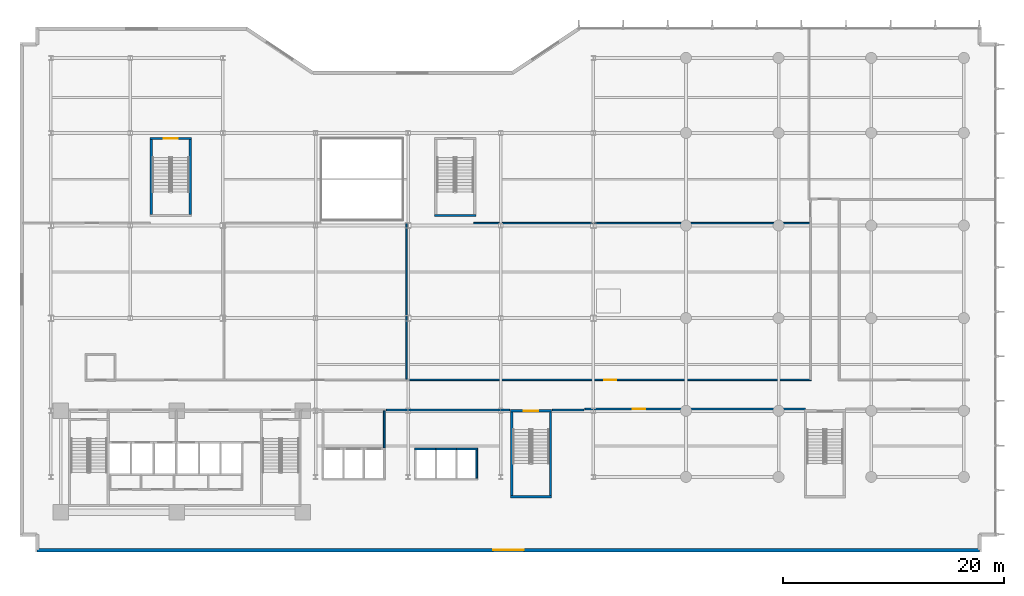
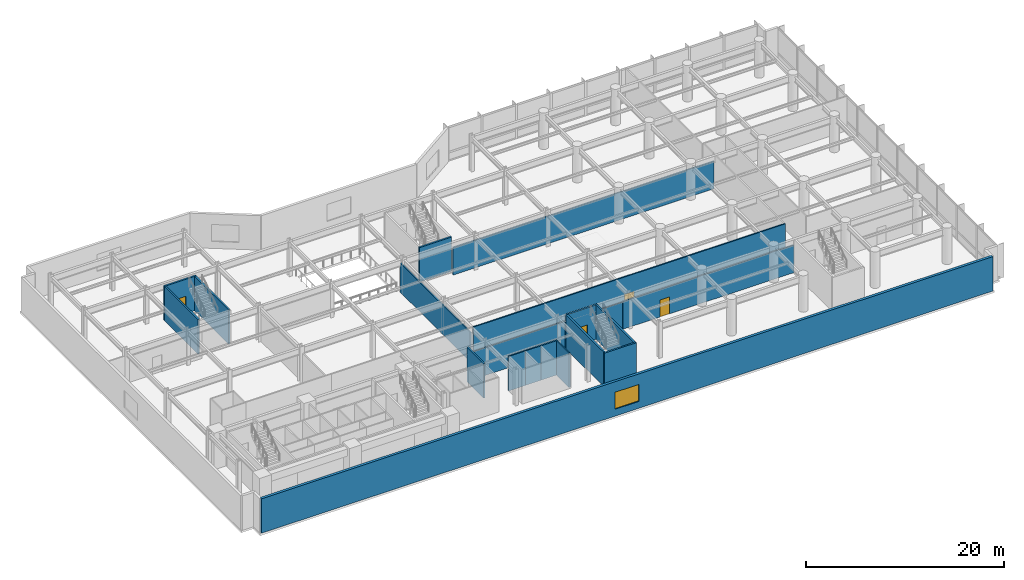
# One storey, part 16 of 26: 20 walls, 4 doors, 1 window, 5 openings.
"""IFC4 building model written with IfcOpenShell, lengths in metres."""

import ifcopenshell
import ifcopenshell.guid

model = None  # the IFC model being written
_history = None  # IfcOwnerHistory: only IFC2X3 demands one
_inside = {}  # id of a spatial element -> (the spatial element, [elements in it])
_under = {}  # id of a project, library or spatial element -> (it, [spatial elements below it])
_declared = {}  # id of a project -> (the project, [libraries it declares])
_typed = {}  # id of a type object -> (the type object, [elements of that type])
_made_of = {}  # id of a material, layer set ... -> (it, [elements and type objects made of it])


def new_model(schema):
    """Start an empty IFC model of exactly this schema.

    Asked for "IFC4X3", IfcOpenShell would pick the latest addendum, in which some entities
    have other attributes; the version numbers below select the first issue.
    IFC2X3 requires an IfcOwnerHistory on every rooted entity: one is made here for all.
    """
    global model, _history
    if schema == "IFC4X3":
        model = ifcopenshell.file(schema_version=(4, 3, 0, 0))
    else:
        model = ifcopenshell.file(schema=schema)
    _inside.clear()
    _under.clear()
    _declared.clear()
    _typed.clear()
    _made_of.clear()
    _history = None
    if model.schema == "IFC2X3":
        org = make("IfcOrganization", Name="unknown")
        user = make(
            "IfcPersonAndOrganization",
            ThePerson=make("IfcPerson", FamilyName="unknown"),
            TheOrganization=org,
        )
        app = make(
            "IfcApplication",
            ApplicationDeveloper=org,
            Version="unknown",
            ApplicationFullName="unknown",
            ApplicationIdentifier="unknown",
        )
        _history = make(
            "IfcOwnerHistory",
            OwningUser=user,
            OwningApplication=app,
            ChangeAction="ADDED",
            CreationDate=0,
        )
    return model


def make(cls, **values):
    """One entity of the class cls with the attributes given. An attribute that is None is left unset."""
    return model.create_entity(
        cls, **{name: value for name, value in values.items() if value is not None}
    )


def rooted(cls, **values):
    """An entity with a GlobalId (a new one), such as an element, a storey or a relation."""
    return make(cls, GlobalId=ifcopenshell.guid.new(), OwnerHistory=_history, **values)


def si_unit(unit_type, name, prefix=None):
    """IfcSIUnit, for example si_unit("LENGTHUNIT", "METRE", prefix="MILLI")."""
    return make("IfcSIUnit", UnitType=unit_type, Prefix=prefix, Name=name)


def assignment(units):
    """IfcUnitAssignment: the units of a project."""
    return None if units is None else make("IfcUnitAssignment", Units=units)


def point(xyz):
    """IfcCartesianPoint."""
    return None if xyz is None else make("IfcCartesianPoint", Coordinates=xyz)


def direction(xyz):
    """IfcDirection."""
    return None if xyz is None else make("IfcDirection", DirectionRatios=xyz)


def frame(location, z_axis=None, x_axis=None):
    """IfcAxis2Placement3D, a coordinate frame: its origin and axes. An axis left out is left unset."""
    return make(
        "IfcAxis2Placement3D",
        Location=point(location),
        Axis=direction(z_axis),
        RefDirection=direction(x_axis),
    )


def frame_2d(location, x_axis=None):
    """IfcAxis2Placement2D, a coordinate frame in the plane: its origin and x axis."""
    return make(
        "IfcAxis2Placement2D", Location=point(location), RefDirection=direction(x_axis)
    )


def origin():
    """The frame at (0, 0, 0) with its axes left unset."""
    return frame((0.0, 0.0, 0.0))


def place(relative_to, where):
    """IfcLocalPlacement: puts the frame where relative to a parent placement (None: the world)."""
    return make(
        "IfcLocalPlacement", PlacementRelTo=relative_to, RelativePlacement=where
    )


def context(
    kind, dimensions, precision=None, world=None, true_north=None, identifier=None
):
    """IfcGeometricRepresentationContext, for example the 3D "Model" context."""
    return make(
        "IfcGeometricRepresentationContext",
        ContextIdentifier=identifier,
        ContextType=kind,
        CoordinateSpaceDimension=dimensions,
        Precision=precision,
        WorldCoordinateSystem=world,
        TrueNorth=true_north,
    )


def subcontext(parent, identifier, kind, view, scale=None):
    """IfcGeometricRepresentationSubContext, for example "Body" below "Model"."""
    return make(
        "IfcGeometricRepresentationSubContext",
        ContextIdentifier=identifier,
        ContextType=kind,
        ParentContext=parent,
        TargetScale=scale,
        TargetView=view,
    )


def project(units=None, contexts=None):
    """IfcProject with its units and contexts."""
    return rooted(
        "IfcProject",
        Name="project",
        RepresentationContexts=contexts,
        UnitsInContext=assignment(units),
    )


def spatial(cls, under=None, at=None, **own):
    """A site, building, storey or space (cls), placed at a placement, below another one or the project."""
    s = rooted(cls, ObjectPlacement=at, **own)
    if under is not None:
        _under.setdefault(under.id(), (under, []))[1].append(s)
    return s


def profile(cls, at=None, kind="AREA", **sizes):
    """A parametric profile (cls). Its sizes go by their IFC names, for example OverallWidth=200.0."""
    return make(cls, ProfileType=kind, Position=at, **sizes)


def rectangle(**sizes):
    """IfcRectangleProfileDef."""
    return profile("IfcRectangleProfileDef", **sizes)


def extrude(swept, where, along, depth):
    """IfcExtrudedAreaSolid: the profile swept, set in the frame where, extruded along a direction by depth."""
    return make(
        "IfcExtrudedAreaSolid",
        SweptArea=swept,
        Position=where,
        ExtrudedDirection=direction(along),
        Depth=depth,
    )


def shape(context_of_items, identifier, shape_type, items):
    """IfcShapeRepresentation: the items that make up one representation, for example the "Body"."""
    return make(
        "IfcShapeRepresentation",
        ContextOfItems=context_of_items,
        RepresentationIdentifier=identifier,
        RepresentationType=shape_type,
        Items=items,
    )


def material(Name=None, Category=None):
    """IfcMaterial."""
    return make("IfcMaterial", Name=Name, Category=Category)


def layer(
    of_material, thickness, ventilated=None, Name=None, Category=None, Priority=None
):
    """IfcMaterialLayer: one layer of a wall or slab, of a material (None: an air gap)."""
    return make(
        "IfcMaterialLayer",
        Material=of_material,
        LayerThickness=thickness,
        IsVentilated=ventilated,
        Name=Name,
        Category=Category,
        Priority=Priority,
    )


def layer_set(layers, Name=None):
    """IfcMaterialLayerSet."""
    return make("IfcMaterialLayerSet", MaterialLayers=layers, LayerSetName=Name)


def made_of(thing, what):
    """Note that an element or type object is made of a material, layer set ...; save() writes the relation."""
    if what is not None:
        _made_of.setdefault(what.id(), (what, []))[1].append(thing)
    return thing


def type_object(cls, material=None, **own):
    """A type object (cls), such as IfcWallType, which elements share."""
    return made_of(rooted(cls, **own), material)


def element(
    cls,
    number,
    at=None,
    inside=None,
    cuts=None,
    type_object=None,
    material=None,
    context=None,
    identifier="Body",
    shape_type=None,
    held_by="IfcProductDefinitionShape",
    body=None,
    shapes=None,
    **own,
):
    """One element of the class cls, such as IfcWall. Its Tag is "e" and its number.

    at: its placement. inside: the storey or other place that contains it. cuts: it is an
    opening in that element (IfcRelVoidsElement). A single representation is given by context,
    identifier, shape_type and body (its items); several are given by shapes. held_by: the class
    of the entity that holds the representations. save() writes the other relations.
    """
    e = rooted(cls, Tag="e%d" % number, ObjectPlacement=at, **own)
    if body is not None:
        shapes = [shape(context, identifier, shape_type, body)]
    if shapes is not None:
        e.Representation = make(held_by, Representations=shapes)
    if inside is not None:
        _inside.setdefault(inside.id(), (inside, []))[1].append(e)
    if cuts is not None:
        rooted(
            "IfcRelVoidsElement", RelatingBuildingElement=cuts, RelatedOpeningElement=e
        )
    if type_object is not None:
        _typed.setdefault(type_object.id(), (type_object, []))[1].append(e)
    return made_of(e, material)


def fill(opening, filler):
    """IfcRelFillsElement: the door or window that sits in an opening."""
    return rooted(
        "IfcRelFillsElement",
        RelatingOpeningElement=opening,
        RelatedBuildingElement=filler,
    )


def aggregate(whole, parts):
    """IfcRelAggregates: a whole, such as a stair, and the parts it consists of."""
    return rooted("IfcRelAggregates", RelatingObject=whole, RelatedObjects=parts)


def save(model, path):
    """Write the relations noted so far, then the file.

    IfcRelAggregates (storeys below a building ...), IfcRelContainedInSpatialStructure (elements
    in a storey), IfcRelDefinesByType, IfcRelAssociatesMaterial and IfcRelDeclares: one each for
    every whole, place, type object, material and project.
    """
    for whole, parts in _under.values():
        aggregate(whole, parts)
    for where, things in _inside.values():
        rooted(
            "IfcRelContainedInSpatialStructure",
            RelatedElements=things,
            RelatingStructure=where,
        )
    for kind, things in _typed.values():
        rooted("IfcRelDefinesByType", RelatedObjects=things, RelatingType=kind)
    for what, things in _made_of.values():
        rooted("IfcRelAssociatesMaterial", RelatedObjects=things, RelatingMaterial=what)
    for by, libraries in _declared.values():
        rooted("IfcRelDeclares", RelatingContext=by, RelatedDefinitions=libraries)
    model.write(path)


model = new_model("IFC4")

# Units and contexts
model_context = context("Model", 3, precision=1e-05, world=origin(), true_north=direction((0.0, 1.0)))
body_context = subcontext(model_context, "Body", "Model", "MODEL_VIEW")
ifc_project = project(units=[si_unit("LENGTHUNIT", "METRE"), si_unit("AREAUNIT", "SQUARE_METRE"), si_unit("VOLUMEUNIT", "CUBIC_METRE"), si_unit("PLANEANGLEUNIT", "RADIAN"), si_unit("MASSUNIT", "GRAM", prefix="KILO")], contexts=[model_context])

# Site, building, storey
site_placement = place(None, origin())
site = spatial("IfcSite", under=ifc_project, at=site_placement, CompositionType="ELEMENT")
building_placement = place(site_placement, origin())
building = spatial("IfcBuilding", under=site, at=building_placement, Name="Varnakote Quay Hospital", CompositionType="ELEMENT")
storey_placement = place(building_placement, frame((0.0, 0.0, 4.5)))
storey = spatial("IfcBuildingStorey", under=building, at=storey_placement, Name="L01", CompositionType="ELEMENT", Elevation=4.5)

# Walls
ifc_material_1 = material(Name="Fire-rated acoustic gypsum stud wall", Category="gypsum")
ifc_layer_1 = layer(ifc_material_1, 0.159912109375)
ifc_layer_set_1 = layer_set([ifc_layer_1], Name="Fire-rated acoustic gypsum stud wall")
wall_type_1 = type_object("IfcWallType", Name="WL-COMP-160", PredefinedType="PARTITIONING", material=ifc_layer_set_1)
wall_1_placement = place(storey_placement, frame((31.429931640625, 8.610107421875, 0.0), z_axis=(0.0, 0.0, 1.0), x_axis=(0.0, 1.0, 0.0)))
element("IfcWall", 1, at=wall_1_placement, inside=storey, type_object=wall_type_1, Name="L01 Low-Rise Lift Lobby East Wall", PredefinedType="PARTITIONING", context=body_context, shape_type="SweptSolid", body=[
    extrude(rectangle(XDim=3.389892578125, YDim=0.159912109375, at=frame_2d((1.69482421875, 0.0))), origin(), (0.0, 0.0, 1.0), 4.25),
])
wall_2_placement = place(storey_placement, frame((31.6298828125, 12.080078125, 0.0), z_axis=(0.0, 0.0, 1.0), x_axis=(1.0, 0.0, 0.0)))
element("IfcWall", 2, at=wall_2_placement, inside=storey, type_object=wall_type_1, Name="L01 Corridor South Gap Wall", PredefinedType="PARTITIONING", context=body_context, shape_type="SweptSolid", body=[
    extrude(rectangle(XDim=11.180908203125, YDim=0.159912109375, at=frame_2d((5.59033203125, 0.0))), origin(), (0.0, 0.0, 1.0), 3.425048828125),
])
wall_3_placement = place(storey_placement, frame((46.689208984375, 12.080078125, 0.0), z_axis=(0.0, 0.0, 1.0), x_axis=(1.0, 0.0, 0.0)))
element("IfcWall", 3, at=wall_3_placement, inside=storey, type_object=wall_type_1, Name="L01 Corridor South Gap Wall", PredefinedType="PARTITIONING", context=body_context, shape_type="SweptSolid", body=[
    extrude(rectangle(XDim=2.843017578125, YDim=0.159912109375, at=frame_2d((1.42138671875, 0.0))), origin(), (0.0, 0.0, 1.0), 3.425048828125),
])

# Wall, opening, window
ifc_material_2 = material(Name="Precast concrete N50 (f'c 50 MPa)", Category="concrete")
ifc_layer_2 = layer(ifc_material_2, 0.300048828125)
ifc_layer_set_2 = layer_set([ifc_layer_2], Name="Precast concrete N50 (f'c 50 MPa)")
wall_type_2 = type_object("IfcWallType", Name="WL-EXT-BRICK-300", PredefinedType="STANDARD", material=ifc_layer_set_2)
wall_4_placement = place(storey_placement, frame((-0.0400390625, -0.639892578125, 0.0), z_axis=(0.0, 0.0, 1.0), x_axis=(1.0, 0.0, 0.0)))
wall_4 = element("IfcWall", 4, at=wall_4_placement, inside=storey, type_object=wall_type_2, Name="L01 Brick-Faced Precast Exterior Wall", PredefinedType="STANDARD", context=body_context, shape_type="SweptSolid", body=[
    extrude(rectangle(XDim=85.47998046875, YDim=0.300048828125, at=frame_2d((42.739990234375, 0.0))), origin(), (0.0, 0.0, 1.0), 4.25),
])
opening_1_placement = place(wall_4_placement, frame((41.340087890625, 0.0, 0.85009765625)))
opening_1 = element("IfcOpeningElement", 5, at=opening_1_placement, cuts=wall_4, Name="Opening WN-0007", PredefinedType="OPENING", context=body_context, shape_type="SweptSolid", body=[
    extrude(rectangle(XDim=2.800048828125, YDim=2.10009765625, at=frame_2d((1.39990234375, 1.050048828125))), frame((0.0, 0.159912109375, 0.0), z_axis=(0.0, -1.0, 0.0), x_axis=(1.0, 0.0, 0.0)), (0.0, 0.0, 1.0), 0.320068359375),
])
ifc_material_3 = material(Name="Double-glazed acoustic laminated glass", Category="glass")
window_type = type_object("IfcWindowType", Name="WIN-POD-2800x2100", PartitioningType="SINGLE_PANEL", PredefinedType="WINDOW", material=ifc_material_3)
window_placement = place(opening_1_placement, origin())
window = element("IfcWindow", 6, at=window_placement, inside=storey, type_object=window_type, Name="L01 Solar-Control Clinical Window", OverallHeight=2.10009765625, OverallWidth=2.800048828125, PartitioningType="SINGLE_PANEL", PredefinedType="WINDOW", context=body_context, shape_type="SweptSolid", body=[
    extrude(rectangle(XDim=2.800048828125, YDim=2.10009765625, at=frame_2d((1.39990234375, 1.050048828125))), frame((0.0, 0.030029296875, 0.0), z_axis=(0.0, -1.0, 0.0), x_axis=(1.0, 0.0, 0.0)), (0.0, 0.0, 1.0), 0.06005859375),
])
fill(opening_1, window)

# Walls
ifc_material_4 = material(Name="Concrete N50 (f'c 50 MPa)", Category="concrete")
ifc_layer_3 = layer(ifc_material_4, 0.159912109375)
ifc_layer_set_3 = layer_set([ifc_layer_3], Name="Concrete N50 (f'c 50 MPa)")
wall_type_3 = type_object("IfcWallType", Name="WL-SHAFT-N50-160", PredefinedType="SHEAR", material=ifc_layer_set_3)
wall_5_placement = place(storey_placement, frame((39.830078125, 5.89990234375, 0.0), z_axis=(0.0, 0.0, 1.0), x_axis=(0.0, 1.0, 0.0)))
element("IfcWall", 7, at=wall_5_placement, inside=storey, type_object=wall_type_3, Name="L01 MID Lift Bank East Shear Wall", PredefinedType="SHEAR", context=body_context, shape_type="SweptSolid", body=[
    extrude(rectangle(XDim=2.550048828125, YDim=0.159912109375, at=frame_2d((1.27490234375, 0.0))), origin(), (0.0, 0.0, 1.0), 4.25),
])
wall_6_placement = place(storey_placement, frame((34.18994140625, 8.530029296875, 0.0), z_axis=(0.0, 0.0, 1.0), x_axis=(1.0, 0.0, 0.0)))
element("IfcWall", 8, at=wall_6_placement, inside=storey, type_object=wall_type_3, Name="L01 LF-PM1 Hoistway Front Wall", PredefinedType="SHEAR", context=body_context, shape_type="SweptSolid", body=[
    extrude(rectangle(XDim=1.93505859375, YDim=0.159912109375, at=frame_2d((0.967529296875, 0.0))), origin(), (0.0, 0.0, 1.0), 4.25),
])
wall_7_placement = place(storey_placement, frame((36.125, 8.530029296875, 0.0), z_axis=(0.0, 0.0, 1.0), x_axis=(1.0, 0.0, 0.0)))
element("IfcWall", 9, at=wall_7_placement, inside=storey, type_object=wall_type_3, Name="L01 LF-PM2 Hoistway Front Wall", PredefinedType="SHEAR", context=body_context, shape_type="SweptSolid", body=[
    extrude(rectangle(XDim=1.85009765625, YDim=0.159912109375, at=frame_2d((0.925048828125, 0.0))), origin(), (0.0, 0.0, 1.0), 4.25),
])
wall_8_placement = place(storey_placement, frame((37.97509765625, 8.530029296875, 0.0), z_axis=(0.0, 0.0, 1.0), x_axis=(1.0, 0.0, 0.0)))
element("IfcWall", 10, at=wall_8_placement, inside=storey, type_object=wall_type_3, Name="L01 LF-PM3 Hoistway Front Wall", PredefinedType="SHEAR", context=body_context, shape_type="SweptSolid", body=[
    extrude(rectangle(XDim=1.934814453125, YDim=0.159912109375, at=frame_2d((0.96728515625, 0.0))), origin(), (0.0, 0.0, 1.0), 4.25),
])
ifc_material_5 = material(Name="Concrete N50 (f'c 50 MPa)", Category="concrete")
ifc_layer_4 = layer(ifc_material_5, 0.199951171875)
ifc_layer_set_4 = layer_set([ifc_layer_4], Name="Concrete N50 (f'c 50 MPa)")
wall_type_4 = type_object("IfcWallType", Name="WL-SHAFT-N50-200", PredefinedType="SHEAR", material=ifc_layer_set_4)
wall_9_placement = place(storey_placement, frame((42.89990234375, 4.199951171875, 0.0), z_axis=(0.0, 0.0, 1.0), x_axis=(1.0, 0.0, 0.0)))
element("IfcWall", 11, at=wall_9_placement, inside=storey, type_object=wall_type_4, Name="L01 Stair ST3 South Shaft Wall", PredefinedType="SHEAR", context=body_context, shape_type="SweptSolid", body=[
    extrude(rectangle(XDim=3.7001953125, YDim=0.199951171875, at=frame_2d((1.85009765625, 0.0))), origin(), (0.0, 0.0, 1.0), 4.25),
])
for number, where, z_axis, x_axis, name in (
    (12, (43.0, 4.300048828125, 0.0), (0.0, 0.0, 1.0), (0.0, 1.0, 0.0), "L01 Stair ST3 West Shaft Wall"),
    (13, (46.5, 4.300048828125, 0.0), (0.0, 0.0, 1.0), (0.0, 1.0, 0.0), "L01 Stair ST3 East Shaft Wall"),
):
    element("IfcWall", number, at=place(storey_placement, frame(where, z_axis=z_axis, x_axis=x_axis)), inside=storey, type_object=wall_type_4, Name=name, PredefinedType="SHEAR", context=body_context, shape_type="SweptSolid", body=[
        extrude(rectangle(XDim=7.599853515625, YDim=0.199951171875, at=frame_2d((3.7998046875, 0.0))), origin(), (0.0, 0.0, 1.0), 4.25),
    ])

# Wall, opening, door
wall_10_placement = place(storey_placement, frame((42.89990234375, 12.0, 0.0), z_axis=(0.0, 0.0, 1.0), x_axis=(1.0, 0.0, 0.0)))
wall_10 = element("IfcWall", 14, at=wall_10_placement, inside=storey, type_object=wall_type_4, Name="L01 Stair ST3 Exit Wall", PredefinedType="SHEAR", context=body_context, shape_type="SweptSolid", body=[
    extrude(rectangle(XDim=3.7001953125, YDim=0.199951171875, at=frame_2d((1.85009765625, 0.0))), origin(), (0.0, 0.0, 1.0), 4.25),
])
opening_2_placement = place(wall_10_placement, frame((1.199951171875, 0.0, 0.0)))
opening_2 = element("IfcOpeningElement", 15, at=opening_2_placement, cuts=wall_10, Name="Opening D-ST3-L01", PredefinedType="OPENING", context=body_context, shape_type="SweptSolid", body=[
    extrude(rectangle(XDim=1.300048828125, YDim=2.14990234375, at=frame_2d((0.64990234375, 1.074951171875))), frame((0.0, 0.10986328125, 0.0), z_axis=(0.0, -1.0, 0.0), x_axis=(1.0, 0.0, 0.0)), (0.0, 0.0, 1.0), 0.219970703125),
])
ifc_material_6 = material(Name="Fire-rated ceramic-glazed timber exit door", Category="wood")
door_type_1 = type_object("IfcDoorType", Name="DR-STAIR-FD60S-1300x2150", OperationType="NOTDEFINED", PredefinedType="DOOR", material=ifc_material_6)
door_1_placement = place(opening_2_placement, origin())
door_1 = element("IfcDoor", 16, at=door_1_placement, inside=storey, type_object=door_type_1, Name="L01 Stair ST3 Fire Exit Door", OperationType="SINGLE_SWING_LEFT", OverallHeight=2.14990234375, OverallWidth=1.300048828125, PredefinedType="DOOR", context=body_context, shape_type="SweptSolid", body=[
    extrude(rectangle(XDim=1.300048828125, YDim=2.14990234375, at=frame_2d((0.64990234375, 1.074951171875))), frame((0.0, 0.02490234375, 0.0), z_axis=(0.0, -1.0, 0.0), x_axis=(1.0, 0.0, 0.0)), (0.0, 0.0, 1.0), 0.050048828125),
])
fill(opening_2, door_1)

# Walls
for number, where, z_axis, x_axis, name in (
    (17, (10.300048828125, 29.800048828125, 0.0), (0.0, 0.0, 1.0), (0.0, 1.0, 0.0), "L01 Stair ST4 West Shaft Wall"),
    (18, (13.840087890625, 29.800048828125, 0.0), (0.0, 0.0, 1.0), (0.0, 1.0, 0.0), "L01 Stair ST4 East Shaft Wall"),
):
    element("IfcWall", number, at=place(storey_placement, frame(where, z_axis=z_axis, x_axis=x_axis)), inside=storey, type_object=wall_type_4, Name=name, PredefinedType="SHEAR", context=body_context, shape_type="SweptSolid", body=[
        extrude(rectangle(XDim=6.800048828125, YDim=0.199951171875, at=frame_2d((3.39990234375, 0.0))), origin(), (0.0, 0.0, 1.0), 4.25),
    ])

# Wall, opening, door
wall_11_placement = place(storey_placement, frame((10.199951171875, 36.699951171875, 0.0), z_axis=(0.0, 0.0, 1.0), x_axis=(1.0, 0.0, 0.0)))
wall_11 = element("IfcWall", 19, at=wall_11_placement, inside=storey, type_object=wall_type_4, Name="L01 Stair ST4 Exit Wall", PredefinedType="SHEAR", context=body_context, shape_type="SweptSolid", body=[
    extrude(rectangle(XDim=3.739990234375, YDim=0.199951171875, at=frame_2d((1.8701171875, 0.0))), origin(), (0.0, 0.0, 1.0), 4.25),
])
opening_3_placement = place(wall_11_placement, frame((1.219970703125, 0.0, 0.0)))
opening_3 = element("IfcOpeningElement", 20, at=opening_3_placement, cuts=wall_11, Name="Opening D-ST4-L01", PredefinedType="OPENING", context=body_context, shape_type="SweptSolid", body=[
    extrude(rectangle(XDim=1.300048828125, YDim=2.14990234375, at=frame_2d((0.64990234375, 1.074951171875))), frame((0.0, 0.10986328125, 0.0), z_axis=(0.0, -1.0, 0.0), x_axis=(1.0, 0.0, 0.0)), (0.0, 0.0, 1.0), 0.219970703125),
])
door_2_placement = place(opening_3_placement, origin())
door_2 = element("IfcDoor", 21, at=door_2_placement, inside=storey, type_object=door_type_1, Name="L01 Stair ST4 Fire Exit Door", OperationType="SINGLE_SWING_LEFT", OverallHeight=2.14990234375, OverallWidth=1.300048828125, PredefinedType="DOOR", context=body_context, shape_type="SweptSolid", body=[
    extrude(rectangle(XDim=1.300048828125, YDim=2.14990234375, at=frame_2d((0.64990234375, 1.074951171875))), frame((0.0, 0.02490234375, 0.0), z_axis=(0.0, -1.0, 0.0), x_axis=(1.0, 0.0, 0.0)), (0.0, 0.0, 1.0), 0.050048828125),
])
fill(opening_3, door_2)

# Walls
wall_12_placement = place(storey_placement, frame((36.0, 29.699951171875, 0.0), z_axis=(0.0, 0.0, 1.0), x_axis=(1.0, 0.0, 0.0)))
element("IfcWall", 22, at=wall_12_placement, inside=storey, type_object=wall_type_4, Name="L01 Stair ST5 South Shaft Wall", PredefinedType="SHEAR", context=body_context, shape_type="SweptSolid", body=[
    extrude(rectangle(XDim=3.739990234375, YDim=0.199951171875, at=frame_2d((1.8701171875, 0.0))), origin(), (0.0, 0.0, 1.0), 4.25),
])
ifc_material_7 = material(Name="Smoke-proof clinical partition", Category="gypsum")
ifc_layer_5 = layer(ifc_material_7, 0.135009765625)
ifc_layer_set_5 = layer_set([ifc_layer_5], Name="Smoke-proof clinical partition")
wall_type_5 = type_object("IfcWallType", Name="WL-SMOKE-135", PredefinedType="PARTITIONING", material=ifc_layer_set_5)
wall_13_placement = place(storey_placement, frame((33.449951171875, 14.864990234375, 0.0), z_axis=(0.0, 0.0, 1.0), x_axis=(0.0, 1.0, 0.0)))
element("IfcWall", 23, at=wall_13_placement, inside=storey, type_object=wall_type_5, Name="L01 Clinical Interior Partition", PredefinedType="PARTITIONING", context=body_context, shape_type="SweptSolid", body=[
    extrude(rectangle(XDim=14.155029296875, YDim=0.135009765625, at=frame_2d((7.07763671875, 0.0))), origin(), (0.0, 0.0, 1.0), 3.623046875),
])
wall_14_placement = place(storey_placement, frame((70.034912109375, 29.02001953125, 0.0), z_axis=(0.0, 0.0, 1.0), x_axis=(-1.0, 0.0, 0.0)))
element("IfcWall", 24, at=wall_14_placement, inside=storey, type_object=wall_type_5, Name="L01 Clinical Interior Partition", PredefinedType="PARTITIONING", context=body_context, shape_type="SweptSolid", body=[
    extrude(rectangle(XDim=30.492431640625, YDim=0.135009765625, at=frame_2d((15.24609375, 0.0))), origin(), (0.0, 0.0, 1.0), 3.425048828125),
])

# Wall, opening, door
ifc_material_8 = material(Name="Fire-rated clinical gypsum partition", Category="gypsum")
ifc_layer_6 = layer(ifc_material_8, 0.14990234375)
ifc_layer_set_6 = layer_set([ifc_layer_6], Name="Fire-rated clinical gypsum partition")
wall_type_6 = type_object("IfcWallType", Name="WL-WARD-150", PredefinedType="PARTITIONING", material=ifc_layer_set_6)
wall_15_placement = place(storey_placement, frame((49.62158203125, 12.159912109375, 0.0), z_axis=(0.0, 0.0, 1.0), x_axis=(1.0, 0.0, 0.0)))
wall_15 = element("IfcWall", 25, at=wall_15_placement, inside=storey, type_object=wall_type_6, Name="L01 Clinical Interior Partition", PredefinedType="PARTITIONING", context=body_context, shape_type="SweptSolid", body=[
    extrude(rectangle(XDim=20.0068359375, YDim=0.14990234375, at=frame_2d((10.00341796875, 0.0))), origin(), (0.0, 0.0, 1.0), 3.425048828125),
])
opening_4_placement = place(wall_15_placement, frame((4.364013671875, 0.0, 0.0)))
opening_4 = element("IfcOpeningElement", 26, at=opening_4_placement, cuts=wall_15, Name="Opening D-L01-ENUC", PredefinedType="OPENING", context=body_context, shape_type="SweptSolid", body=[
    extrude(rectangle(XDim=1.10009765625, YDim=2.10009765625, at=frame_2d((0.550048828125, 1.050048828125))), frame((0.0, 0.0849609375, 0.0), z_axis=(0.0, -1.0, 0.0), x_axis=(1.0, 0.0, 0.0)), (0.0, 0.0, 1.0), 0.169921875),
])
ifc_material_9 = material(Name="Acoustic timber clinical consult door", Category="wood")
door_type_2 = type_object("IfcDoorType", Name="DR-CLIN-FD30S-1100x2100", OperationType="NOTDEFINED", PredefinedType="DOOR", material=ifc_material_9)
door_3_placement = place(opening_4_placement, origin())
door_3 = element("IfcDoor", 27, at=door_3_placement, inside=storey, type_object=door_type_2, Name="L01 Nuclear Medicine & PET-CT Diagnostic Treatment Suite Door", OperationType="SINGLE_SWING_LEFT", OverallHeight=2.10009765625, OverallWidth=1.10009765625, PredefinedType="DOOR", context=body_context, shape_type="SweptSolid", body=[
    extrude(rectangle(XDim=1.10009765625, YDim=2.10009765625, at=frame_2d((0.550048828125, 1.050048828125))), frame((0.0, 0.02490234375, 0.0), z_axis=(0.0, -1.0, 0.0), x_axis=(1.0, 0.0, 0.0)), (0.0, 0.0, 1.0), 0.050048828125),
])
fill(opening_4, door_3)

wall_16_placement = place(storey_placement, frame((70.16796875, 14.800048828125, 0.0), z_axis=(0.0, 0.0, 1.0), x_axis=(-1.0, 0.0, 0.0)))
wall_16 = element("IfcWall", 28, at=wall_16_placement, inside=storey, type_object=wall_type_6, Name="L01 Clinical Interior Partition", PredefinedType="PARTITIONING", context=body_context, shape_type="SweptSolid", body=[
    extrude(rectangle(XDim=36.498046875, YDim=0.14990234375, at=frame_2d((18.2490234375, 0.0))), origin(), (0.0, 0.0, 1.0), 4.25),
])
opening_5_placement = place(wall_16_placement, frame((17.698974609375, 0.0, 0.0)))
opening_5 = element("IfcOpeningElement", 29, at=opening_5_placement, cuts=wall_16, Name="Opening D-L01-ANGI", PredefinedType="OPENING", context=body_context, shape_type="SweptSolid", body=[
    extrude(rectangle(XDim=1.10009765625, YDim=2.10009765625, at=frame_2d((0.550048828125, 1.050048828125))), frame((0.0, 0.0849609375, 0.0), z_axis=(0.0, -1.0, 0.0), x_axis=(1.0, 0.0, 0.0)), (0.0, 0.0, 1.0), 0.169921875),
])
door_4_placement = place(opening_5_placement, origin())
door_4 = element("IfcDoor", 30, at=door_4_placement, inside=storey, type_object=door_type_2, Name="L01 Interventional Angiography Treatment Suite Door", OperationType="SINGLE_SWING_LEFT", OverallHeight=2.10009765625, OverallWidth=1.10009765625, PredefinedType="DOOR", context=body_context, shape_type="SweptSolid", body=[
    extrude(rectangle(XDim=1.10009765625, YDim=2.10009765625, at=frame_2d((0.550048828125, 1.050048828125))), frame((0.0, 0.02490234375, 0.0), z_axis=(0.0, -1.0, 0.0), x_axis=(1.0, 0.0, 0.0)), (0.0, 0.0, 1.0), 0.050048828125),
])
fill(opening_5, door_4)

save(model, "model.ifc")
